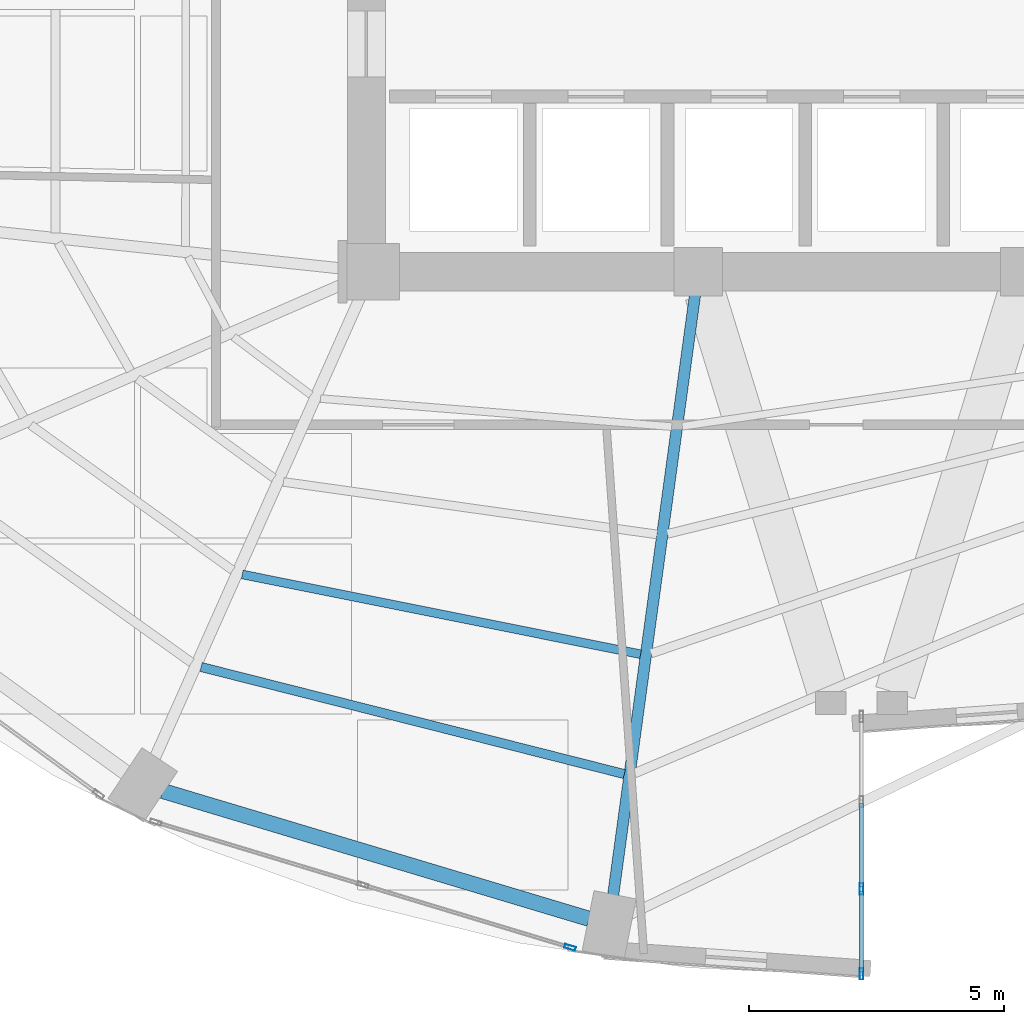
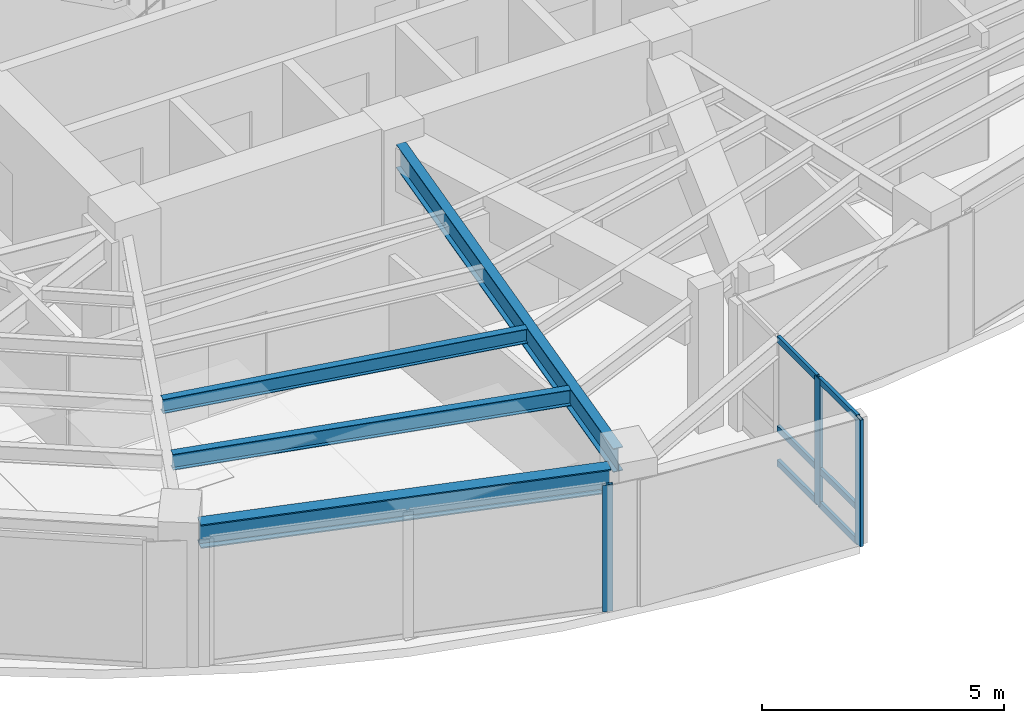
# One storey, part 5 of 24: 9 members, 4 beams, 2 elements without a shape of their own.
"""IFC4 building model written with IfcOpenShell, lengths in metres."""

import ifcopenshell
import ifcopenshell.guid

model = None  # the IFC model being written
_history = None  # IfcOwnerHistory: only IFC2X3 demands one
_inside = {}  # id of a spatial element -> (the spatial element, [elements in it])
_under = {}  # id of a project, library or spatial element -> (it, [spatial elements below it])
_declared = {}  # id of a project -> (the project, [libraries it declares])
_typed = {}  # id of a type object -> (the type object, [elements of that type])
_made_of = {}  # id of a material, layer set ... -> (it, [elements and type objects made of it])


def new_model(schema):
    """Start an empty IFC model of exactly this schema.

    Asked for "IFC4X3", IfcOpenShell would pick the latest addendum, in which some entities
    have other attributes; the version numbers below select the first issue.
    IFC2X3 requires an IfcOwnerHistory on every rooted entity: one is made here for all.
    """
    global model, _history
    if schema == "IFC4X3":
        model = ifcopenshell.file(schema_version=(4, 3, 0, 0))
    else:
        model = ifcopenshell.file(schema=schema)
    _inside.clear()
    _under.clear()
    _declared.clear()
    _typed.clear()
    _made_of.clear()
    _history = None
    if model.schema == "IFC2X3":
        org = make("IfcOrganization", Name="unknown")
        user = make(
            "IfcPersonAndOrganization",
            ThePerson=make("IfcPerson", FamilyName="unknown"),
            TheOrganization=org,
        )
        app = make(
            "IfcApplication",
            ApplicationDeveloper=org,
            Version="unknown",
            ApplicationFullName="unknown",
            ApplicationIdentifier="unknown",
        )
        _history = make(
            "IfcOwnerHistory",
            OwningUser=user,
            OwningApplication=app,
            ChangeAction="ADDED",
            CreationDate=0,
        )
    return model


def make(cls, **values):
    """One entity of the class cls with the attributes given. An attribute that is None is left unset."""
    return model.create_entity(
        cls, **{name: value for name, value in values.items() if value is not None}
    )


def rooted(cls, **values):
    """An entity with a GlobalId (a new one), such as an element, a storey or a relation."""
    return make(cls, GlobalId=ifcopenshell.guid.new(), OwnerHistory=_history, **values)


def si_unit(unit_type, name, prefix=None):
    """IfcSIUnit, for example si_unit("LENGTHUNIT", "METRE", prefix="MILLI")."""
    return make("IfcSIUnit", UnitType=unit_type, Prefix=prefix, Name=name)


def assignment(units):
    """IfcUnitAssignment: the units of a project."""
    return None if units is None else make("IfcUnitAssignment", Units=units)


def point(xyz):
    """IfcCartesianPoint."""
    return None if xyz is None else make("IfcCartesianPoint", Coordinates=xyz)


def direction(xyz):
    """IfcDirection."""
    return None if xyz is None else make("IfcDirection", DirectionRatios=xyz)


def frame(location, z_axis=None, x_axis=None):
    """IfcAxis2Placement3D, a coordinate frame: its origin and axes. An axis left out is left unset."""
    return make(
        "IfcAxis2Placement3D",
        Location=point(location),
        Axis=direction(z_axis),
        RefDirection=direction(x_axis),
    )


def frame_2d(location, x_axis=None):
    """IfcAxis2Placement2D, a coordinate frame in the plane: its origin and x axis."""
    return make(
        "IfcAxis2Placement2D", Location=point(location), RefDirection=direction(x_axis)
    )


def origin():
    """The frame at (0, 0, 0) with its axes left unset."""
    return frame((0.0, 0.0, 0.0))


def origin_2d():
    """The frame at (0, 0) in the plane with its x axis left unset."""
    return frame_2d((0.0, 0.0))


def place(relative_to, where):
    """IfcLocalPlacement: puts the frame where relative to a parent placement (None: the world)."""
    return make(
        "IfcLocalPlacement", PlacementRelTo=relative_to, RelativePlacement=where
    )


def context(
    kind, dimensions, precision=None, world=None, true_north=None, identifier=None
):
    """IfcGeometricRepresentationContext, for example the 3D "Model" context."""
    return make(
        "IfcGeometricRepresentationContext",
        ContextIdentifier=identifier,
        ContextType=kind,
        CoordinateSpaceDimension=dimensions,
        Precision=precision,
        WorldCoordinateSystem=world,
        TrueNorth=true_north,
    )


def subcontext(parent, identifier, kind, view, scale=None):
    """IfcGeometricRepresentationSubContext, for example "Body" below "Model"."""
    return make(
        "IfcGeometricRepresentationSubContext",
        ContextIdentifier=identifier,
        ContextType=kind,
        ParentContext=parent,
        TargetScale=scale,
        TargetView=view,
    )


def project(units=None, contexts=None):
    """IfcProject with its units and contexts."""
    return rooted(
        "IfcProject",
        Name="project",
        RepresentationContexts=contexts,
        UnitsInContext=assignment(units),
    )


def spatial(cls, under=None, at=None, **own):
    """A site, building, storey or space (cls), placed at a placement, below another one or the project."""
    s = rooted(cls, ObjectPlacement=at, **own)
    if under is not None:
        _under.setdefault(under.id(), (under, []))[1].append(s)
    return s


def profile(cls, at=None, kind="AREA", **sizes):
    """A parametric profile (cls). Its sizes go by their IFC names, for example OverallWidth=200.0."""
    return make(cls, ProfileType=kind, Position=at, **sizes)


def hollow_rectangle(**sizes):
    """IfcRectangleHollowProfileDef."""
    return profile("IfcRectangleHollowProfileDef", **sizes)


def i_section(**sizes):
    """IfcIShapeProfileDef."""
    return profile("IfcIShapeProfileDef", **sizes)


def extrude(swept, where, along, depth):
    """IfcExtrudedAreaSolid: the profile swept, set in the frame where, extruded along a direction by depth."""
    return make(
        "IfcExtrudedAreaSolid",
        SweptArea=swept,
        Position=where,
        ExtrudedDirection=direction(along),
        Depth=depth,
    )


def shape(context_of_items, identifier, shape_type, items):
    """IfcShapeRepresentation: the items that make up one representation, for example the "Body"."""
    return make(
        "IfcShapeRepresentation",
        ContextOfItems=context_of_items,
        RepresentationIdentifier=identifier,
        RepresentationType=shape_type,
        Items=items,
    )


def material(Name=None, Category=None):
    """IfcMaterial."""
    return make("IfcMaterial", Name=Name, Category=Category)


def layer(
    of_material, thickness, ventilated=None, Name=None, Category=None, Priority=None
):
    """IfcMaterialLayer: one layer of a wall or slab, of a material (None: an air gap)."""
    return make(
        "IfcMaterialLayer",
        Material=of_material,
        LayerThickness=thickness,
        IsVentilated=ventilated,
        Name=Name,
        Category=Category,
        Priority=Priority,
    )


def layer_set(layers, Name=None):
    """IfcMaterialLayerSet."""
    return make("IfcMaterialLayerSet", MaterialLayers=layers, LayerSetName=Name)


def material_profile(
    of_material, cross_section, Name=None, Category=None, Priority=None
):
    """IfcMaterialProfile: a cross section and its material."""
    return make(
        "IfcMaterialProfile",
        Name=Name,
        Material=of_material,
        Profile=cross_section,
        Priority=Priority,
        Category=Category,
    )


def profile_set(profiles, Name=None, composite=None):
    """IfcMaterialProfileSet."""
    return make(
        "IfcMaterialProfileSet",
        Name=Name,
        MaterialProfiles=profiles,
        CompositeProfile=composite,
    )


def made_of(thing, what):
    """Note that an element or type object is made of a material, layer set ...; save() writes the relation."""
    if what is not None:
        _made_of.setdefault(what.id(), (what, []))[1].append(thing)
    return thing


def type_object(cls, material=None, **own):
    """A type object (cls), such as IfcWallType, which elements share."""
    return made_of(rooted(cls, **own), material)


def element(
    cls,
    number,
    at=None,
    inside=None,
    cuts=None,
    type_object=None,
    material=None,
    context=None,
    identifier="Body",
    shape_type=None,
    held_by="IfcProductDefinitionShape",
    body=None,
    shapes=None,
    **own,
):
    """One element of the class cls, such as IfcWall. Its Tag is "e" and its number.

    at: its placement. inside: the storey or other place that contains it. cuts: it is an
    opening in that element (IfcRelVoidsElement). A single representation is given by context,
    identifier, shape_type and body (its items); several are given by shapes. held_by: the class
    of the entity that holds the representations. save() writes the other relations.
    """
    e = rooted(cls, Tag="e%d" % number, ObjectPlacement=at, **own)
    if body is not None:
        shapes = [shape(context, identifier, shape_type, body)]
    if shapes is not None:
        e.Representation = make(held_by, Representations=shapes)
    if inside is not None:
        _inside.setdefault(inside.id(), (inside, []))[1].append(e)
    if cuts is not None:
        rooted(
            "IfcRelVoidsElement", RelatingBuildingElement=cuts, RelatedOpeningElement=e
        )
    if type_object is not None:
        _typed.setdefault(type_object.id(), (type_object, []))[1].append(e)
    return made_of(e, material)


def aggregate(whole, parts):
    """IfcRelAggregates: a whole, such as a stair, and the parts it consists of."""
    return rooted("IfcRelAggregates", RelatingObject=whole, RelatedObjects=parts)


def save(model, path):
    """Write the relations noted so far, then the file.

    IfcRelAggregates (storeys below a building ...), IfcRelContainedInSpatialStructure (elements
    in a storey), IfcRelDefinesByType, IfcRelAssociatesMaterial and IfcRelDeclares: one each for
    every whole, place, type object, material and project.
    """
    for whole, parts in _under.values():
        aggregate(whole, parts)
    for where, things in _inside.values():
        rooted(
            "IfcRelContainedInSpatialStructure",
            RelatedElements=things,
            RelatingStructure=where,
        )
    for kind, things in _typed.values():
        rooted("IfcRelDefinesByType", RelatedObjects=things, RelatingType=kind)
    for what, things in _made_of.values():
        rooted("IfcRelAssociatesMaterial", RelatedObjects=things, RelatingMaterial=what)
    for by, libraries in _declared.values():
        rooted("IfcRelDeclares", RelatingContext=by, RelatedDefinitions=libraries)
    model.write(path)


model = new_model("IFC4")

# Units and contexts
model_context = context("Model", 3, precision=1e-05, world=origin(), true_north=direction((0.0, 1.0)))
body_context = subcontext(model_context, "Body", "Model", "MODEL_VIEW")
ifc_project = project(units=[si_unit("LENGTHUNIT", "METRE"), si_unit("AREAUNIT", "SQUARE_METRE"), si_unit("VOLUMEUNIT", "CUBIC_METRE"), si_unit("PLANEANGLEUNIT", "RADIAN"), si_unit("MASSUNIT", "GRAM", prefix="KILO")], contexts=[model_context])

# Site, building, storey
site_placement = place(None, origin())
site = spatial("IfcSite", under=ifc_project, at=site_placement, CompositionType="ELEMENT")
building_placement = place(site_placement, origin())
building = spatial("IfcBuilding", under=site, at=building_placement, Name="Lazwardi Medical Tower", CompositionType="ELEMENT")
storey_placement = place(building_placement, frame((0.0, 0.0, 129.16796875)))
storey = spatial("IfcBuildingStorey", under=building, at=storey_placement, Name="L33", CompositionType="ELEMENT", Elevation=129.16796875)

# Beams
ifc_material_1 = material(Name="Steel S355", Category="steel")
ifc_material_profile_1 = material_profile(ifc_material_1, i_section(OverallWidth=0.300048828125, OverallDepth=0.60009765625, WebThickness=0.015380859375, FlangeThickness=0.030029296875, at=origin_2d()), Name="HEB 600")
ifc_profile_set_1 = profile_set([ifc_material_profile_1], Name="Steel S355")
beam_type_1 = type_object("IfcBeamType", Name="BM-RB-Z2", PredefinedType="BEAM", material=ifc_profile_set_1)
beam_1_placement = place(storey_placement, frame((22.30908203125, 10.224609375, 2.89794921875), z_axis=(0.957879438442, -0.287170648587, 0.0), x_axis=(0.287170648587, 0.957879438442, 0.0)))
element("IfcBeam", 1, at=beam_1_placement, inside=storey, type_object=beam_type_1, Name="Ring beam RB-03 B15 L33", PredefinedType="BEAM", context=body_context, shape_type="SweptSolid", body=[
    extrude(i_section(OverallWidth=0.300048828125, OverallDepth=0.60009765625, WebThickness=0.015380859375, FlangeThickness=0.030029296875, at=origin_2d()), origin(), (0.0, 0.0, 1.0), 8.719970703125),
])
ifc_material_profile_2 = material_profile(ifc_material_1, i_section(OverallWidth=0.219970703125, OverallDepth=0.60009765625, WebThickness=0.011962890625, FlangeThickness=0.01904296875, at=origin_2d()), Name="IPE 600")
ifc_profile_set_2 = profile_set([ifc_material_profile_2], Name="Steel S355")
beam_type_2 = type_object("IfcBeamType", Name="BM-RG-W1", PredefinedType="BEAM", material=ifc_profile_set_2)
beam_2_placement = place(storey_placement, frame((31.1328125, 8.17724609375, 2.89794921875), z_axis=(0.135147148002, 0.990825538825, 0.0), x_axis=(-0.990825538825, 0.135147148002, 0.0)))
element("IfcBeam", 2, at=beam_2_placement, inside=storey, type_object=beam_type_2, Name="Radial girder RG-02 R16 L33", PredefinedType="BEAM", context=body_context, shape_type="SweptSolid", body=[
    extrude(i_section(OverallWidth=0.219970703125, OverallDepth=0.60009765625, WebThickness=0.011962890625, FlangeThickness=0.01904296875, at=origin_2d()), origin(), (0.0, 0.0, 1.0), 11.875732421875),
])
ifc_material_profile_3 = material_profile(ifc_material_1, i_section(OverallWidth=0.179931640625, OverallDepth=0.39990234375, WebThickness=0.008544921875, FlangeThickness=0.013427734375, at=origin_2d()), Name="IPE 400")
ifc_profile_set_3 = profile_set([ifc_material_profile_3], Name="Steel S355")
beam_type_3 = type_object("IfcBeamType", Name="BM-SJ-01", PredefinedType="JOIST", material=ifc_profile_set_3)
beam_3_placement = place(storey_placement, frame((23.060302734375, 12.654296875, 2.998046875), z_axis=(0.96945186753, -0.245281626997, 0.0), x_axis=(0.245281626997, 0.96945186753, 0.0)))
element("IfcBeam", 3, at=beam_3_placement, inside=storey, type_object=beam_type_3, Name="Secondary joist SJ-01 R1 B15 L33", PredefinedType="JOIST", context=body_context, shape_type="SweptSolid", body=[
    extrude(i_section(OverallWidth=0.179931640625, OverallDepth=0.39990234375, WebThickness=0.008544921875, FlangeThickness=0.013427734375, at=origin_2d()), origin(), (0.0, 0.0, 1.0), 8.552978515625),
])
ifc_material_profile_4 = material_profile(ifc_material_1, i_section(OverallWidth=0.169921875, OverallDepth=0.360107421875, WebThickness=0.008056640625, FlangeThickness=0.0126953125, at=origin_2d()), Name="IPE 360")
ifc_profile_set_4 = profile_set([ifc_material_profile_4], Name="Steel S355")
beam_type_4 = type_object("IfcBeamType", Name="BM-SJ-02", PredefinedType="JOIST", material=ifc_profile_set_4)
beam_4_placement = place(storey_placement, frame((23.8671875, 14.46728515625, 3.01806640625), z_axis=(0.980542906584, -0.196304886203, 0.0), x_axis=(0.196304886203, 0.980542906584, 0.0)))
element("IfcBeam", 4, at=beam_4_placement, inside=storey, type_object=beam_type_4, Name="Secondary joist SJ-02 R2 B15 L33", PredefinedType="JOIST", context=body_context, shape_type="SweptSolid", body=[
    extrude(i_section(OverallWidth=0.169921875, OverallDepth=0.360107421875, WebThickness=0.008056640625, FlangeThickness=0.0126953125, at=origin_2d()), origin(), (0.0, 0.0, 1.0), 7.95947265625),
])

# Curtain wall, member
ifc_material_2 = material(Name="Anodised bronze aluminium and solar control glazing", Category="aluminium")
ifc_layer_1 = layer(ifc_material_2, 0.195068359375)
ifc_layer_set_1 = layer_set([ifc_layer_1], Name="Anodised bronze aluminium and solar control glazing")
curtain_wall_type_1 = type_object("IfcCurtainWallType", Name="CW-SYS-03", PredefinedType="NOTDEFINED", material=ifc_layer_set_1)
curtain_wall_1_placement = place(storey_placement, origin())
curtain_wall_1 = element("IfcCurtainWall", 5, at=curtain_wall_1_placement, inside=storey, type_object=curtain_wall_type_1, Name="L33 Unitised bronze curtain wall CW-03", PredefinedType="NOTDEFINED")
ifc_material_3 = material(Name="Anodised bronze aluminium", Category="aluminium")
ifc_material_profile_5 = material_profile(ifc_material_3, hollow_rectangle(XDim=0.074951171875, YDim=0.219970703125, WallThickness=0.00390625, at=origin_2d()), Name="ALU-MULLION 220x75x4")
ifc_profile_set_5 = profile_set([ifc_material_profile_5], Name="Anodised bronze aluminium")
member_type_1 = type_object("IfcMemberType", Name="CW-MUL-01", PredefinedType="MULLION", material=ifc_profile_set_5)
member_1_placement = place(storey_placement, frame((30.289794921875, 7.159912109375, 0.0), z_axis=(0.0, 0.0, 1.0), x_axis=(0.28937381157, 0.957216170558, 0.0)))
member_1 = element("IfcMember", 6, at=member_1_placement, type_object=member_type_1, Name="CW-03 mullion 3", PredefinedType="MULLION", context=body_context, shape_type="SweptSolid", body=[
    extrude(hollow_rectangle(XDim=0.074951171875, YDim=0.219970703125, WallThickness=0.00390625, at=origin_2d()), origin(), (0.0, 0.0, 1.0), 3.197998046875),
])
aggregate(curtain_wall_1, [member_1])

# Curtain wall, members
ifc_layer_2 = layer(ifc_material_2, 0.2099609375)
ifc_layer_set_2 = layer_set([ifc_layer_2], Name="Anodised bronze aluminium and solar control glazing")
curtain_wall_type_2 = type_object("IfcCurtainWallType", Name="CW-SYS-06", PredefinedType="NOTDEFINED", material=ifc_layer_set_2)
curtain_wall_2_placement = place(storey_placement, origin())
curtain_wall_2 = element("IfcCurtainWall", 7, at=curtain_wall_2_placement, inside=storey, type_object=curtain_wall_type_2, Name="L33 Unitised bronze curtain wall CW-06", PredefinedType="NOTDEFINED")
member_2_placement = place(storey_placement, frame((36.0, 6.637451171875, 0.0), z_axis=(0.0, 0.0, 1.0), x_axis=(-1.0, 0.0, 0.0)))
member_2 = element("IfcMember", 8, at=member_2_placement, type_object=member_type_1, Name="CW-06 mullion 1", PredefinedType="MULLION", context=body_context, shape_type="SweptSolid", body=[
    extrude(hollow_rectangle(XDim=0.074951171875, YDim=0.219970703125, WallThickness=0.00390625, at=origin_2d()), origin(), (0.0, 0.0, 1.0), 3.197998046875),
])
member_3_placement = place(storey_placement, frame((36.0, 8.306640625, 0.0), z_axis=(0.0, 0.0, 1.0), x_axis=(-1.0, 0.0, 0.0)))
member_3 = element("IfcMember", 9, at=member_3_placement, type_object=member_type_1, Name="CW-06 mullion 2", PredefinedType="MULLION", context=body_context, shape_type="SweptSolid", body=[
    extrude(hollow_rectangle(XDim=0.074951171875, YDim=0.219970703125, WallThickness=0.00390625, at=origin_2d()), origin(), (0.0, 0.0, 1.0), 3.197998046875),
])
ifc_material_profile_6 = material_profile(ifc_material_3, hollow_rectangle(XDim=0.074951171875, YDim=0.159912109375, WallThickness=0.00390625, at=origin_2d()), Name="ALU-TRANSOM 160x75x4")
ifc_profile_set_6 = profile_set([ifc_material_profile_6], Name="Anodised bronze aluminium")
member_type_2 = type_object("IfcMemberType", Name="CW-TRN-01", PredefinedType="USERDEFINED", material=ifc_profile_set_6)
member_4_placement = place(storey_placement, frame((36.0, 6.675048828125, 0.03759765625), z_axis=(0.0, 1.0, 0.0), x_axis=(-1.0, 0.0, 0.0)))
member_4 = element("IfcMember", 10, at=member_4_placement, type_object=member_type_2, Name="CW-06 transom 1.1", ObjectType="TRANSOM", PredefinedType="USERDEFINED", context=body_context, shape_type="SweptSolid", body=[
    extrude(hollow_rectangle(XDim=0.074951171875, YDim=0.159912109375, WallThickness=0.00390625, at=origin_2d()), origin(), (0.0, 0.0, 1.0), 1.59423828125),
])
member_5_placement = place(storey_placement, frame((36.0, 6.675048828125, 0.900146484375), z_axis=(0.0, 1.0, 0.0), x_axis=(-1.0, 0.0, 0.0)))
member_5 = element("IfcMember", 11, at=member_5_placement, type_object=member_type_2, Name="CW-06 transom 1.2", ObjectType="TRANSOM", PredefinedType="USERDEFINED", context=body_context, shape_type="SweptSolid", body=[
    extrude(hollow_rectangle(XDim=0.074951171875, YDim=0.159912109375, WallThickness=0.00390625, at=origin_2d()), origin(), (0.0, 0.0, 1.0), 1.59423828125),
])
member_6_placement = place(storey_placement, frame((36.0, 6.675048828125, 3.16064453125), z_axis=(0.0, 1.0, 0.0), x_axis=(-1.0, 0.0, 0.0)))
member_6 = element("IfcMember", 12, at=member_6_placement, type_object=member_type_2, Name="CW-06 transom 1.3", ObjectType="TRANSOM", PredefinedType="USERDEFINED", context=body_context, shape_type="SweptSolid", body=[
    extrude(hollow_rectangle(XDim=0.074951171875, YDim=0.159912109375, WallThickness=0.00390625, at=origin_2d()), origin(), (0.0, 0.0, 1.0), 1.59423828125),
])
member_7_placement = place(storey_placement, frame((36.0, 8.34423828125, 0.03759765625), z_axis=(0.0, 1.0, 0.0), x_axis=(-1.0, 0.0, 0.0)))
member_7 = element("IfcMember", 13, at=member_7_placement, type_object=member_type_2, Name="CW-06 transom 2.1", ObjectType="TRANSOM", PredefinedType="USERDEFINED", context=body_context, shape_type="SweptSolid", body=[
    extrude(hollow_rectangle(XDim=0.074951171875, YDim=0.159912109375, WallThickness=0.00390625, at=origin_2d()), origin(), (0.0, 0.0, 1.0), 1.631591796875),
])
member_8_placement = place(storey_placement, frame((36.0, 8.34423828125, 0.900146484375), z_axis=(0.0, 1.0, 0.0), x_axis=(-1.0, 0.0, 0.0)))
member_8 = element("IfcMember", 14, at=member_8_placement, type_object=member_type_2, Name="CW-06 transom 2.2", ObjectType="TRANSOM", PredefinedType="USERDEFINED", context=body_context, shape_type="SweptSolid", body=[
    extrude(hollow_rectangle(XDim=0.074951171875, YDim=0.159912109375, WallThickness=0.00390625, at=origin_2d()), origin(), (0.0, 0.0, 1.0), 1.631591796875),
])
member_9_placement = place(storey_placement, frame((36.0, 8.34423828125, 3.16064453125), z_axis=(0.0, 1.0, 0.0), x_axis=(-1.0, 0.0, 0.0)))
member_9 = element("IfcMember", 15, at=member_9_placement, type_object=member_type_2, Name="CW-06 transom 2.3", ObjectType="TRANSOM", PredefinedType="USERDEFINED", context=body_context, shape_type="SweptSolid", body=[
    extrude(hollow_rectangle(XDim=0.074951171875, YDim=0.159912109375, WallThickness=0.00390625, at=origin_2d()), origin(), (0.0, 0.0, 1.0), 1.631591796875),
])
aggregate(curtain_wall_2, [member_2, member_3, member_4, member_5, member_6, member_7, member_8, member_9])

save(model, "model.ifc")
